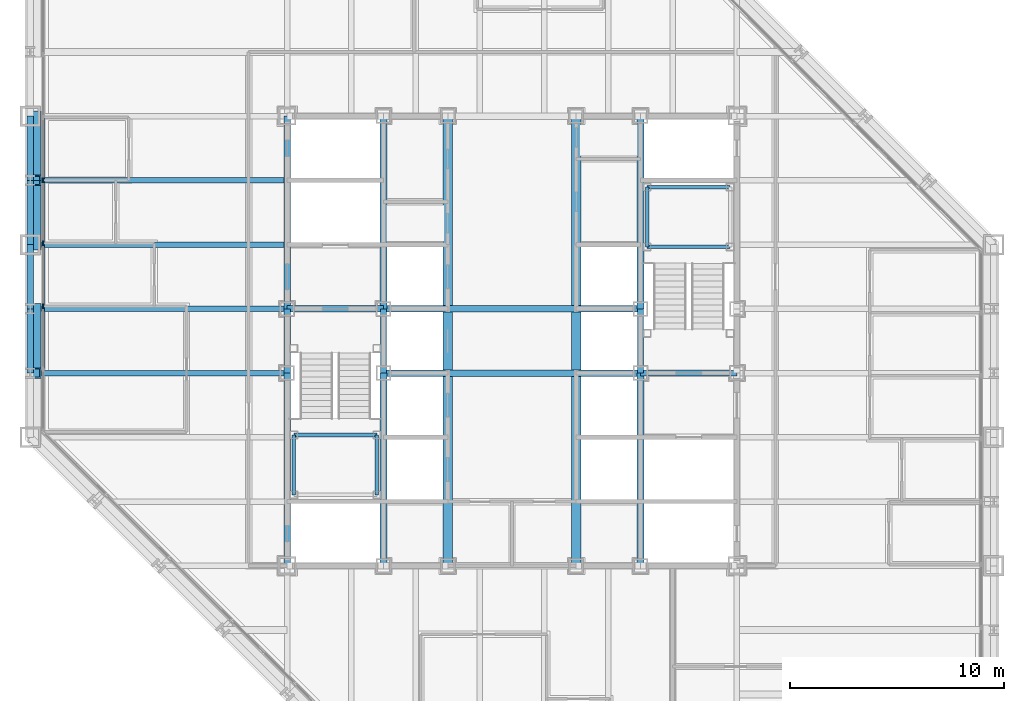
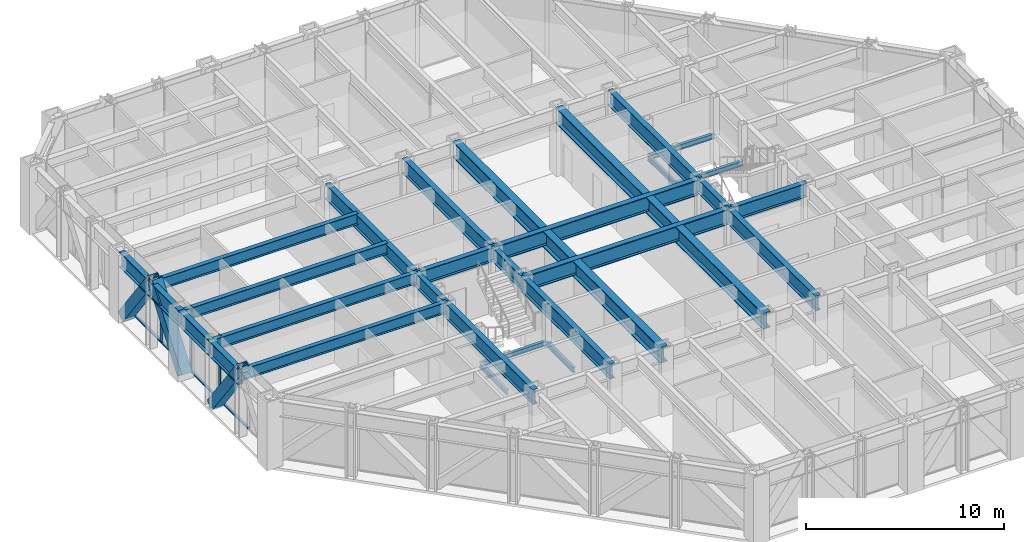
# One storey, part 5 of 16: 33 beams, 10 members, 1 element without a shape of its own.
"""IFC4 building model written with IfcOpenShell, lengths in metres."""

from ifc_helpers import new_model, si_unit, direction, frame, origin, origin_2d, place, context, subcontext, project, spatial, rectangle, hollow_rectangle, i_section, extrude, material, layer, layer_set, material_profile, profile_set, type_object, element, aggregate, save


model = new_model("IFC4")

# Units and contexts
model_context = context("Model", 3, precision=1e-05, world=origin(), true_north=direction((0.0, 1.0)))
body_context = subcontext(model_context, "Body", "Model", "MODEL_VIEW")
ifc_project = project(units=[si_unit("LENGTHUNIT", "METRE"), si_unit("AREAUNIT", "SQUARE_METRE"), si_unit("VOLUMEUNIT", "CUBIC_METRE"), si_unit("PLANEANGLEUNIT", "RADIAN"), si_unit("MASSUNIT", "GRAM", prefix="KILO")], contexts=[model_context])

# Site, building, storey
site_placement = place(None, origin())
site = spatial("IfcSite", under=ifc_project, at=site_placement, CompositionType="ELEMENT")
building_placement = place(site_placement, origin())
building = spatial("IfcBuilding", under=site, at=building_placement, Name="Chuquiago Exchange Tower", CompositionType="ELEMENT")
storey_placement = place(building_placement, frame((0.0, 0.0, 119.39990234375)))
storey = spatial("IfcBuildingStorey", under=building, at=storey_placement, Name="L25", CompositionType="ELEMENT", Elevation=119.39990234375)

# Beams
ifc_material_1 = material(Name="Steel ASTM A992", Category="steel")
ifc_material_profile_1 = material_profile(ifc_material_1, i_section(OverallWidth=0.25390625, OverallDepth=0.683349609375, WebThickness=0.012451171875, FlangeThickness=0.018798828125, at=origin_2d()), Name="W27X94")
ifc_profile_set_1 = profile_set([ifc_material_profile_1], Name="Steel ASTM A992")
beam_type_1 = type_object("IfcBeamType", Name="B1 W27X94", PredefinedType="BEAM", material=ifc_profile_set_1)
for number, where, z_axis, x_axis, name in (
    (1, (12.0, 21.0, 3.698486328125), (-1.0, 0.0, 0.0), (0.0, -1.0, 0.0), "FB-L26-infill-12_21--0_21-0"),
    (2, (12.0, 24.0, 3.698486328125), (-1.0, 0.0, 0.0), (0.0, -1.0, 0.0), "FB-L26-infill-12_24--0_24-0"),
    (3, (12.0, 27.0, 3.698486328125), (-1.0, 0.0, 0.0), (0.0, -1.0, 0.0), "FB-L26-infill-12_27--0_27-0"),
    (4, (12.0, 30.0, 3.698486328125), (-1.0, 0.0, 0.0), (0.0, -1.0, 0.0), "FB-L26-infill-12_30--0_30-0"),
):
    element("IfcBeam", number, at=place(storey_placement, frame(where, z_axis=z_axis, x_axis=x_axis)), inside=storey, type_object=beam_type_1, Name=name, PredefinedType="BEAM", context=body_context, shape_type="SweptSolid", body=[
        extrude(i_section(OverallWidth=0.25390625, OverallDepth=0.683349609375, WebThickness=0.012451171875, FlangeThickness=0.018798828125, at=origin_2d()), origin(), (0.0, 0.0, 1.0), 12.0),
    ])
ifc_material_2 = material(Name="Steel ASTM A992", Category="steel")
ifc_material_profile_2 = material_profile(ifc_material_2, i_section(OverallWidth=0.307373046875, OverallDepth=0.927001953125, WebThickness=0.01953125, FlangeThickness=0.031982421875, at=origin_2d()), Name="W36X194")
ifc_profile_set_2 = profile_set([ifc_material_profile_2], Name="Steel ASTM A992")
beam_type_2 = type_object("IfcBeamType", Name="B10 W36X194", PredefinedType="BEAM", material=ifc_profile_set_2)
for number, where, z_axis, x_axis, name in (
    (5, (12.0, 12.0, 3.576416015625), (0.0, 1.0, 0.0), (-1.0, 0.0, 0.0), "CB-L26-12_12-12_21"),
    (6, (12.0, 24.0, 3.576416015625), (0.0, 1.0, 0.0), (-1.0, 0.0, 0.0), "CB-L26-12_24-12_33"),
    (7, (16.5, 12.0, 3.576416015625), (0.0, 1.0, 0.0), (-1.0, 0.0, 0.0), "CB-L26-16.5_12-16.5_21"),
    (8, (16.5, 24.0, 3.576416015625), (0.0, 1.0, 0.0), (-1.0, 0.0, 0.0), "CB-L26-16.5_24-16.5_33"),
    (9, (28.5, 12.0, 3.576416015625), (0.0, 1.0, 0.0), (-1.0, 0.0, 0.0), "CB-L26-28.5_12-28.5_21"),
    (10, (28.5, 24.0, 3.576416015625), (0.0, 1.0, 0.0), (-1.0, 0.0, 0.0), "CB-L26-28.5_24-28.5_33"),
):
    element("IfcBeam", number, at=place(storey_placement, frame(where, z_axis=z_axis, x_axis=x_axis)), inside=storey, type_object=beam_type_2, Name=name, PredefinedType="BEAM", context=body_context, shape_type="SweptSolid", body=[
        extrude(i_section(OverallWidth=0.307373046875, OverallDepth=0.927001953125, WebThickness=0.01953125, FlangeThickness=0.031982421875, at=origin_2d()), origin(), (0.0, 0.0, 1.0), 9.0),
    ])
ifc_material_3 = material(Name="Steel ASTM A992", Category="steel")
ifc_material_profile_3 = material_profile(ifc_material_3, i_section(OverallWidth=0.309814453125, OverallDepth=0.949951171875, WebThickness=0.0244140625, FlangeThickness=0.0439453125, at=origin_2d()), Name="W36X256")
ifc_profile_set_3 = profile_set([ifc_material_profile_3], Name="Steel ASTM A992")
beam_type_3 = type_object("IfcBeamType", Name="B11 W36X256", PredefinedType="BEAM", material=ifc_profile_set_3)
for number, where, z_axis, x_axis, name in (
    (11, (16.5, 21.0, 3.565185546875), (1.0, 0.0, 0.0), (0.0, 1.0, 0.0), "CB-L26-16.5_21-28.5_21"),
    (12, (16.5, 24.0, 3.565185546875), (1.0, 0.0, 0.0), (0.0, 1.0, 0.0), "CB-L26-16.5_24-28.5_24"),
):
    element("IfcBeam", number, at=place(storey_placement, frame(where, z_axis=z_axis, x_axis=x_axis)), inside=storey, type_object=beam_type_3, Name=name, PredefinedType="BEAM", context=body_context, shape_type="SweptSolid", body=[
        extrude(i_section(OverallWidth=0.309814453125, OverallDepth=0.949951171875, WebThickness=0.0244140625, FlangeThickness=0.0439453125, at=origin_2d()), origin(), (0.0, 0.0, 1.0), 12.0),
    ])
ifc_material_4 = material(Name="Steel ASTM A992", Category="steel")
ifc_material_profile_4 = material_profile(ifc_material_4, i_section(OverallWidth=0.4267578125, OverallDepth=0.975341796875, WebThickness=0.031005859375, FlangeThickness=0.055908203125, at=origin_2d()), Name="W36X395")
ifc_profile_set_4 = profile_set([ifc_material_profile_4], Name="Steel ASTM A992")
beam_type_4 = type_object("IfcBeamType", Name="B12 W36X395", PredefinedType="BEAM", material=ifc_profile_set_4)
beam_1_placement = place(storey_placement, frame((19.5, 12.0, 3.552490234375), z_axis=(0.0, 1.0, 0.0), x_axis=(-1.0, 0.0, 0.0)))
element("IfcBeam", 13, at=beam_1_placement, inside=storey, type_object=beam_type_4, Name="CB-L26-19.5_12-19.5_20.8451", PredefinedType="BEAM", context=body_context, shape_type="SweptSolid", body=[
    extrude(i_section(OverallWidth=0.4267578125, OverallDepth=0.975341796875, WebThickness=0.031005859375, FlangeThickness=0.055908203125, at=origin_2d()), origin(), (0.0, 0.0, 1.0), 8.84521484375),
])
beam_2_placement = place(storey_placement, frame((19.5, 21.15478515625, 3.552490234375), z_axis=(0.0, 1.0, 0.0), x_axis=(-1.0, 0.0, 0.0)))
element("IfcBeam", 14, at=beam_2_placement, inside=storey, type_object=beam_type_4, Name="CB-L26-19.5_21.1549-19.5_23.8451", PredefinedType="BEAM", context=body_context, shape_type="SweptSolid", body=[
    extrude(i_section(OverallWidth=0.4267578125, OverallDepth=0.975341796875, WebThickness=0.031005859375, FlangeThickness=0.055908203125, at=origin_2d()), origin(), (0.0, 0.0, 1.0), 2.6904296875),
])
for number, where, z_axis, x_axis, name in (
    (15, (19.5, 24.15478515625, 3.552490234375), (0.0, 1.0, 0.0), (-1.0, 0.0, 0.0), "CB-L26-19.5_24.1549-19.5_33"),
    (16, (25.5, 12.0, 3.552490234375), (0.0, 1.0, 0.0), (-1.0, 0.0, 0.0), "CB-L26-25.5_12-25.5_20.8451"),
):
    element("IfcBeam", number, at=place(storey_placement, frame(where, z_axis=z_axis, x_axis=x_axis)), inside=storey, type_object=beam_type_4, Name=name, PredefinedType="BEAM", context=body_context, shape_type="SweptSolid", body=[
        extrude(i_section(OverallWidth=0.4267578125, OverallDepth=0.975341796875, WebThickness=0.031005859375, FlangeThickness=0.055908203125, at=origin_2d()), origin(), (0.0, 0.0, 1.0), 8.84521484375),
    ])
beam_3_placement = place(storey_placement, frame((25.5, 21.15478515625, 3.552490234375), z_axis=(0.0, 1.0, 0.0), x_axis=(-1.0, 0.0, 0.0)))
element("IfcBeam", 17, at=beam_3_placement, inside=storey, type_object=beam_type_4, Name="CB-L26-25.5_21.1549-25.5_23.8451", PredefinedType="BEAM", context=body_context, shape_type="SweptSolid", body=[
    extrude(i_section(OverallWidth=0.4267578125, OverallDepth=0.975341796875, WebThickness=0.031005859375, FlangeThickness=0.055908203125, at=origin_2d()), origin(), (0.0, 0.0, 1.0), 2.6904296875),
])
beam_4_placement = place(storey_placement, frame((25.5, 24.15478515625, 3.552490234375), z_axis=(0.0, 1.0, 0.0), x_axis=(-1.0, 0.0, 0.0)))
element("IfcBeam", 18, at=beam_4_placement, inside=storey, type_object=beam_type_4, Name="CB-L26-25.5_24.1549-25.5_33", PredefinedType="BEAM", context=body_context, shape_type="SweptSolid", body=[
    extrude(i_section(OverallWidth=0.4267578125, OverallDepth=0.975341796875, WebThickness=0.031005859375, FlangeThickness=0.055908203125, at=origin_2d()), origin(), (0.0, 0.0, 1.0), 8.84521484375),
])
ifc_material_5 = material(Name="Steel ASTM A992", Category="steel")
ifc_material_profile_5 = material_profile(ifc_material_5, i_section(OverallWidth=0.2919921875, OverallDepth=0.8583984375, WebThickness=0.01708984375, FlangeThickness=0.031005859375, at=origin_2d()), Name="W33X169")
ifc_profile_set_5 = profile_set([ifc_material_profile_5], Name="Steel ASTM A992")
beam_type_5 = type_object("IfcBeamType", Name="B3 W33X169", PredefinedType="BEAM", material=ifc_profile_set_5)
for number, where, z_axis, x_axis, name in (
    (19, (12.0, 21.0, 3.61083984375), (0.0, 1.0, 0.0), (-1.0, 0.0, 0.0), "CB-L26-12_21-12_24"),
    (20, (16.5, 21.0, 3.61083984375), (0.0, 1.0, 0.0), (-1.0, 0.0, 0.0), "CB-L26-16.5_21-16.5_24"),
    (21, (28.5, 21.0, 3.61083984375), (0.0, 1.0, 0.0), (-1.0, 0.0, 0.0), "CB-L26-28.5_21-28.5_24"),
):
    element("IfcBeam", number, at=place(storey_placement, frame(where, z_axis=z_axis, x_axis=x_axis)), inside=storey, type_object=beam_type_5, Name=name, PredefinedType="BEAM", context=body_context, shape_type="SweptSolid", body=[
        extrude(i_section(OverallWidth=0.2919921875, OverallDepth=0.8583984375, WebThickness=0.01708984375, FlangeThickness=0.031005859375, at=origin_2d()), origin(), (0.0, 0.0, 1.0), 3.0),
    ])
for number, where, z_axis, x_axis, name in (
    (22, (28.5, 21.0, 3.61083984375), (1.0, 0.0, 0.0), (0.0, 1.0, 0.0), "CB-L26-28.5_21-33_21"),
    (23, (12.0, 24.0, 3.61083984375), (1.0, 0.0, 0.0), (0.0, 1.0, 0.0), "CB-L26-12_24-16.5_24"),
):
    element("IfcBeam", number, at=place(storey_placement, frame(where, z_axis=z_axis, x_axis=x_axis)), inside=storey, type_object=beam_type_5, Name=name, PredefinedType="BEAM", context=body_context, shape_type="SweptSolid", body=[
        extrude(i_section(OverallWidth=0.2919921875, OverallDepth=0.8583984375, WebThickness=0.01708984375, FlangeThickness=0.031005859375, at=origin_2d()), origin(), (0.0, 0.0, 1.0), 4.5),
    ])

# Curtain wall, members
ifc_material_6 = material(Name="Aluminium curtain wall system", Category="aluminium")
ifc_layer = layer(ifc_material_6, 0.22509765625)
ifc_layer_set = layer_set([ifc_layer], Name="CW2 office curtain wall")
curtain_wall_type = type_object("IfcCurtainWallType", Name="CW2 office curtain wall", PredefinedType="NOTDEFINED", material=ifc_layer_set)
curtain_wall_placement = place(storey_placement, origin())
curtain_wall = element("IfcCurtainWall", 24, at=curtain_wall_placement, inside=storey, type_object=curtain_wall_type, Name="CW2 curtain wall L25", PredefinedType="NOTDEFINED")
ifc_material_7 = material(Name="Aluminium mullion, pale anodised", Category="aluminium")
ifc_material_profile_6 = material_profile(ifc_material_7, rectangle(XDim=0.06494140625, YDim=0.22509765625, at=origin_2d()), Name="AL 65x225")
ifc_profile_set_6 = profile_set([ifc_material_profile_6], Name="Aluminium mullion, pale anodised")
member_type_1 = type_object("IfcMemberType", Name="CW2-M mullion 65x225", PredefinedType="MULLION", material=ifc_profile_set_6)
member_1_placement = place(storey_placement, frame((0.60009765625, 30.0, 0.0), z_axis=(0.0, 0.0, 1.0), x_axis=(1.0, 0.0, 0.0)))
member_1 = element("IfcMember", 25, at=member_1_placement, type_object=member_type_1, Name="CW2 mullion 5", PredefinedType="MULLION", context=body_context, shape_type="SweptSolid", body=[
    extrude(rectangle(XDim=0.06494140625, YDim=0.22509765625, at=origin_2d()), origin(), (0.0, 0.0, 1.0), 4.0400390625),
])
member_2_placement = place(storey_placement, frame((0.60009765625, 27.06201171875, 0.0), z_axis=(0.0, 0.0, 1.0), x_axis=(1.0, 0.0, 0.0)))
member_2 = element("IfcMember", 26, at=member_2_placement, type_object=member_type_1, Name="CW2 mullion 6", PredefinedType="MULLION", context=body_context, shape_type="SweptSolid", body=[
    extrude(rectangle(XDim=0.06494140625, YDim=0.22509765625, at=origin_2d()), origin(), (0.0, 0.0, 1.0), 4.0400390625),
])
member_3_placement = place(storey_placement, frame((0.60009765625, 24.124267578125, 0.0), z_axis=(0.0, 0.0, 1.0), x_axis=(1.0, 0.0, 0.0)))
member_3 = element("IfcMember", 27, at=member_3_placement, type_object=member_type_1, Name="CW2 mullion 7", PredefinedType="MULLION", context=body_context, shape_type="SweptSolid", body=[
    extrude(rectangle(XDim=0.06494140625, YDim=0.22509765625, at=origin_2d()), origin(), (0.0, 0.0, 1.0), 4.0400390625),
])
ifc_material_8 = material(Name="Aluminium transom, pale anodised", Category="aluminium")
ifc_material_profile_7 = material_profile(ifc_material_8, rectangle(XDim=0.139892578125, YDim=0.06494140625, at=origin_2d()), Name="AL 140x65")
ifc_profile_set_7 = profile_set([ifc_material_profile_7], Name="Aluminium transom, pale anodised")
member_type_2 = type_object("IfcMemberType", Name="CW2-T transom 65x140", PredefinedType="MULLION", material=ifc_profile_set_7)
member_4_placement = place(storey_placement, frame((0.60009765625, 32.9052734375, 0.03271484375), z_axis=(0.0, -1.0, 0.0), x_axis=(1.0, 0.0, 0.0)))
member_4 = element("IfcMember", 28, at=member_4_placement, type_object=member_type_2, Name="CW2 transom 4.1", PredefinedType="MULLION", context=body_context, shape_type="SweptSolid", body=[
    extrude(rectangle(XDim=0.139892578125, YDim=0.06494140625, at=origin_2d()), origin(), (0.0, 0.0, 1.0), 2.872802734375),
])
member_5_placement = place(storey_placement, frame((0.60009765625, 29.967529296875, 0.03271484375), z_axis=(0.0, -1.0, 0.0), x_axis=(1.0, 0.0, 0.0)))
member_5 = element("IfcMember", 29, at=member_5_placement, type_object=member_type_2, Name="CW2 transom 5.1", PredefinedType="MULLION", context=body_context, shape_type="SweptSolid", body=[
    extrude(rectangle(XDim=0.139892578125, YDim=0.06494140625, at=origin_2d()), origin(), (0.0, 0.0, 1.0), 2.872802734375),
])
member_6_placement = place(storey_placement, frame((0.60009765625, 27.029541015625, 0.03271484375), z_axis=(0.0, -1.0, 0.0), x_axis=(1.0, 0.0, 0.0)))
member_6 = element("IfcMember", 30, at=member_6_placement, type_object=member_type_2, Name="CW2 transom 6.1", PredefinedType="MULLION", context=body_context, shape_type="SweptSolid", body=[
    extrude(rectangle(XDim=0.139892578125, YDim=0.06494140625, at=origin_2d()), origin(), (0.0, 0.0, 1.0), 2.872802734375),
])
member_7_placement = place(storey_placement, frame((0.60009765625, 24.091796875, 0.03271484375), z_axis=(0.0, -1.0, 0.0), x_axis=(1.0, 0.0, 0.0)))
member_7 = element("IfcMember", 31, at=member_7_placement, type_object=member_type_2, Name="CW2 transom 7.1", PredefinedType="MULLION", context=body_context, shape_type="SweptSolid", body=[
    extrude(rectangle(XDim=0.139892578125, YDim=0.06494140625, at=origin_2d()), origin(), (0.0, 0.0, 1.0), 2.872802734375),
])
aggregate(curtain_wall, [member_1, member_2, member_3, member_4, member_5, member_6, member_7])

# Beams
ifc_material_9 = material(Name="Steel ASTM A992", Category="steel")
ifc_material_profile_8 = material_profile(ifc_material_9, i_section(OverallWidth=0.164794921875, OverallDepth=0.309814453125, WebThickness=0.005859375, FlangeThickness=0.009765625, at=origin_2d()), Name="W12X26")
ifc_profile_set_8 = profile_set([ifc_material_profile_8], Name="Steel ASTM A992")
beam_type_6 = type_object("IfcBeamType", Name="LS1 W12X26", PredefinedType="BEAM", material=ifc_profile_set_8)
for number, where, z_axis, x_axis, name in (
    (32, (12.31005859375, 15.31005859375, 1.7451171875), (0.0, 1.0, 0.0), (-1.0, 0.0, 0.0), "Stair ST1 L25 landing 1 stringer"),
    (33, (16.18994140625, 15.31005859375, 1.7451171875), (0.0, 1.0, 0.0), (-1.0, 0.0, 0.0), "Stair ST1 L25 landing 1 stringer"),
    (34, (28.81005859375, 26.889892578125, 1.7451171875), (0.0, 1.0, 0.0), (-1.0, 0.0, 0.0), "Stair ST2 L25 landing 1 stringer"),
):
    element("IfcBeam", number, at=place(storey_placement, frame(where, z_axis=z_axis, x_axis=x_axis)), inside=storey, type_object=beam_type_6, Name=name, PredefinedType="BEAM", context=body_context, shape_type="SweptSolid", body=[
        extrude(i_section(OverallWidth=0.164794921875, OverallDepth=0.309814453125, WebThickness=0.005859375, FlangeThickness=0.009765625, at=origin_2d()), origin(), (0.0, 0.0, 1.0), 2.800048828125),
    ])
ifc_material_10 = material(Name="Steel ASTM A992", Category="steel")
ifc_material_profile_9 = material_profile(ifc_material_10, i_section(OverallWidth=0.164794921875, OverallDepth=0.309814453125, WebThickness=0.005859375, FlangeThickness=0.009765625, at=origin_2d()), Name="W12X26")
ifc_profile_set_9 = profile_set([ifc_material_profile_9], Name="Steel ASTM A992")
beam_type_7 = type_object("IfcBeamType", Name="LT1 W12X26", PredefinedType="BEAM", material=ifc_profile_set_9)
for number, where, z_axis, x_axis, name in (
    (35, (12.31005859375, 18.110107421875, 1.7451171875), (1.0, 0.0, 0.0), (0.0, 1.0, 0.0), "Stair ST1 L25 landing 1 trimmer"),
    (36, (28.81005859375, 29.68994140625, 1.7451171875), (1.0, 0.0, 0.0), (0.0, 1.0, 0.0), "Stair ST2 L25 landing 1 trimmer"),
    (37, (28.81005859375, 26.889892578125, 1.7451171875), (1.0, 0.0, 0.0), (0.0, 1.0, 0.0), "Stair ST2 L25 landing 1 trimmer"),
):
    element("IfcBeam", number, at=place(storey_placement, frame(where, z_axis=z_axis, x_axis=x_axis)), inside=storey, type_object=beam_type_7, Name=name, PredefinedType="BEAM", context=body_context, shape_type="SweptSolid", body=[
        extrude(i_section(OverallWidth=0.164794921875, OverallDepth=0.309814453125, WebThickness=0.005859375, FlangeThickness=0.009765625, at=origin_2d()), origin(), (0.0, 0.0, 1.0), 3.8798828125),
    ])

# Members
ifc_material_11 = material(Name="Steel ASTM A572 Grade 50", Category="steel")
ifc_material_profile_10 = material_profile(ifc_material_11, hollow_rectangle(XDim=0.60009765625, YDim=0.60009765625, WallThickness=0.06005859375, at=origin_2d()), Name="BOX600X600X60")
ifc_profile_set_10 = profile_set([ifc_material_profile_10], Name="Steel ASTM A572 Grade 50")
member_type_3 = type_object("IfcMemberType", Name="MB2 BOX600X600X60", PredefinedType="BRACE", material=ifc_profile_set_10)
for number, where, z_axis, x_axis, name in (
    (38, (0.205078125, 33.0, 0.0), (0.0, -0.596173923302, 0.802855312728), (1.0, 0.0, 0.0), "Mega diagonal L25 W face"),
    (39, (0.205078125, 27.0, 0.0), (0.0, 0.596173923302, 0.802855312728), (-1.0, 0.0, 0.0), "Mega diagonal L25 W face"),
    (40, (0.205078125, 24.0, 0.0), (0.0, -0.596173923302, 0.802855312728), (1.0, 0.0, 0.0), "Mega diagonal L25 W face"),
):
    element("IfcMember", number, at=place(storey_placement, frame(where, z_axis=z_axis, x_axis=x_axis)), inside=storey, type_object=member_type_3, Name=name, PredefinedType="BRACE", context=body_context, shape_type="SweptSolid", body=[
        extrude(hollow_rectangle(XDim=0.60009765625, YDim=0.60009765625, WallThickness=0.06005859375, at=origin_2d()), origin(), (0.0, 0.0, 1.0), 5.031982421875),
    ])

# Beams
ifc_material_12 = material(Name="Steel ASTM A992", Category="steel")
ifc_material_profile_11 = material_profile(ifc_material_12, i_section(OverallWidth=0.309814453125, OverallDepth=0.949951171875, WebThickness=0.0244140625, FlangeThickness=0.0439453125, at=origin_2d()), Name="W36X256")
ifc_profile_set_11 = profile_set([ifc_material_profile_11], Name="Steel ASTM A992")
beam_type_8 = type_object("IfcBeamType", Name="SP2 W36X256", PredefinedType="SPANDREL", material=ifc_profile_set_11)
for number, where, z_axis, x_axis, name in (
    (41, (0.0, 33.0, 3.565185546875), (0.0, -1.0, 0.0), (1.0, 0.0, 0.0), "SPB-L26-0_33-0_30"),
    (42, (0.0, 30.0, 3.565185546875), (0.0, -1.0, 0.0), (1.0, 0.0, 0.0), "SPB-L26-0_30-0_27"),
    (43, (0.0, 27.0, 3.565185546875), (0.0, -1.0, 0.0), (1.0, 0.0, 0.0), "SPB-L26-0_27-0_24"),
    (44, (0.0, 24.0, 3.565185546875), (0.0, -1.0, 0.0), (1.0, 0.0, 0.0), "SPB-L26-0_24-0_21"),
):
    element("IfcBeam", number, at=place(storey_placement, frame(where, z_axis=z_axis, x_axis=x_axis)), inside=storey, type_object=beam_type_8, Name=name, PredefinedType="SPANDREL", context=body_context, shape_type="SweptSolid", body=[
        extrude(i_section(OverallWidth=0.309814453125, OverallDepth=0.949951171875, WebThickness=0.0244140625, FlangeThickness=0.0439453125, at=origin_2d()), origin(), (0.0, 0.0, 1.0), 3.0),
    ])

save(model, "model.ifc")
